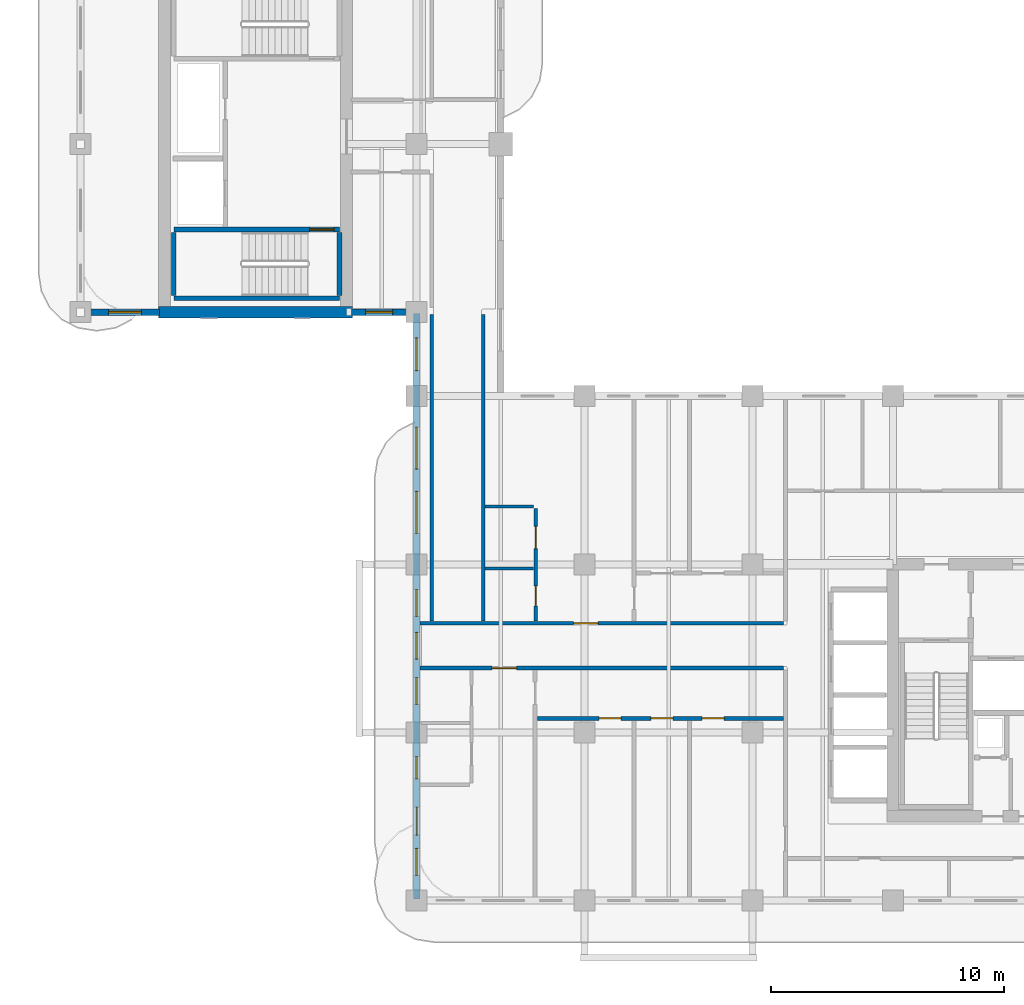
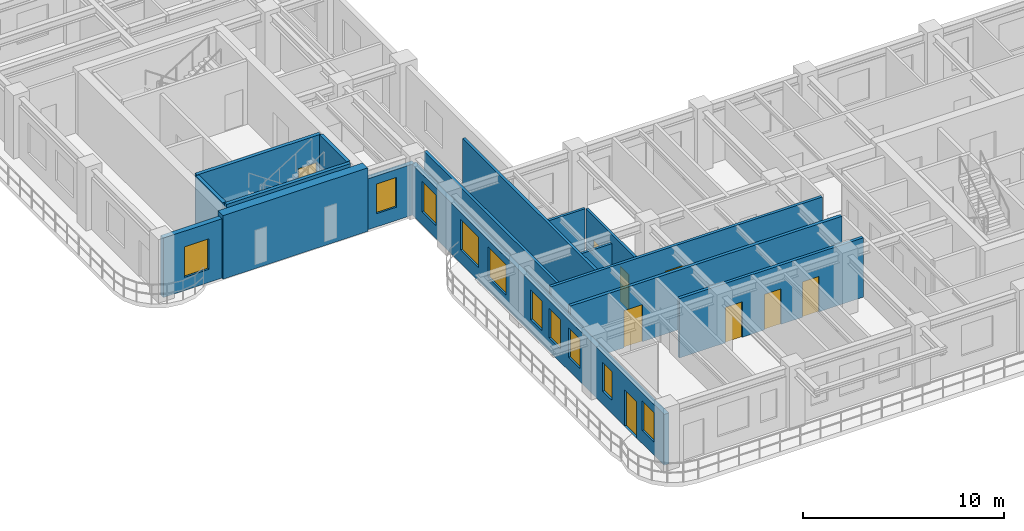
# One storey, part 4 of 14: 16 walls, 10 windows, 9 doors, 19 openings.
"""IFC4 building model written with IfcOpenShell, lengths in metres."""

import ifcopenshell
import ifcopenshell.guid

model = None  # the IFC model being written
_history = None  # IfcOwnerHistory: only IFC2X3 demands one
_inside = {}  # id of a spatial element -> (the spatial element, [elements in it])
_under = {}  # id of a project, library or spatial element -> (it, [spatial elements below it])
_declared = {}  # id of a project -> (the project, [libraries it declares])
_typed = {}  # id of a type object -> (the type object, [elements of that type])
_made_of = {}  # id of a material, layer set ... -> (it, [elements and type objects made of it])


def new_model(schema):
    """Start an empty IFC model of exactly this schema.

    Asked for "IFC4X3", IfcOpenShell would pick the latest addendum, in which some entities
    have other attributes; the version numbers below select the first issue.
    IFC2X3 requires an IfcOwnerHistory on every rooted entity: one is made here for all.
    """
    global model, _history
    if schema == "IFC4X3":
        model = ifcopenshell.file(schema_version=(4, 3, 0, 0))
    else:
        model = ifcopenshell.file(schema=schema)
    _inside.clear()
    _under.clear()
    _declared.clear()
    _typed.clear()
    _made_of.clear()
    _history = None
    if model.schema == "IFC2X3":
        org = make("IfcOrganization", Name="unknown")
        user = make(
            "IfcPersonAndOrganization",
            ThePerson=make("IfcPerson", FamilyName="unknown"),
            TheOrganization=org,
        )
        app = make(
            "IfcApplication",
            ApplicationDeveloper=org,
            Version="unknown",
            ApplicationFullName="unknown",
            ApplicationIdentifier="unknown",
        )
        _history = make(
            "IfcOwnerHistory",
            OwningUser=user,
            OwningApplication=app,
            ChangeAction="ADDED",
            CreationDate=0,
        )
    return model


def make(cls, **values):
    """One entity of the class cls with the attributes given. An attribute that is None is left unset."""
    return model.create_entity(
        cls, **{name: value for name, value in values.items() if value is not None}
    )


def rooted(cls, **values):
    """An entity with a GlobalId (a new one), such as an element, a storey or a relation."""
    return make(cls, GlobalId=ifcopenshell.guid.new(), OwnerHistory=_history, **values)


def si_unit(unit_type, name, prefix=None):
    """IfcSIUnit, for example si_unit("LENGTHUNIT", "METRE", prefix="MILLI")."""
    return make("IfcSIUnit", UnitType=unit_type, Prefix=prefix, Name=name)


def derived_unit(unit_type, elements):
    """IfcDerivedUnit: a product of units, each with its exponent."""
    return make(
        "IfcDerivedUnit",
        Elements=[
            make("IfcDerivedUnitElement", Unit=unit, Exponent=power)
            for unit, power in elements
        ],
        UnitType=unit_type,
    )


def assignment(units):
    """IfcUnitAssignment: the units of a project."""
    return None if units is None else make("IfcUnitAssignment", Units=units)


def point(xyz):
    """IfcCartesianPoint."""
    return None if xyz is None else make("IfcCartesianPoint", Coordinates=xyz)


def direction(xyz):
    """IfcDirection."""
    return None if xyz is None else make("IfcDirection", DirectionRatios=xyz)


def frame(location, z_axis=None, x_axis=None):
    """IfcAxis2Placement3D, a coordinate frame: its origin and axes. An axis left out is left unset."""
    return make(
        "IfcAxis2Placement3D",
        Location=point(location),
        Axis=direction(z_axis),
        RefDirection=direction(x_axis),
    )


def frame_2d(location, x_axis=None):
    """IfcAxis2Placement2D, a coordinate frame in the plane: its origin and x axis."""
    return make(
        "IfcAxis2Placement2D", Location=point(location), RefDirection=direction(x_axis)
    )


def origin():
    """The frame at (0, 0, 0) with its axes left unset."""
    return frame((0.0, 0.0, 0.0))


def place(relative_to, where):
    """IfcLocalPlacement: puts the frame where relative to a parent placement (None: the world)."""
    return make(
        "IfcLocalPlacement", PlacementRelTo=relative_to, RelativePlacement=where
    )


def context(
    kind, dimensions, precision=None, world=None, true_north=None, identifier=None
):
    """IfcGeometricRepresentationContext, for example the 3D "Model" context."""
    return make(
        "IfcGeometricRepresentationContext",
        ContextIdentifier=identifier,
        ContextType=kind,
        CoordinateSpaceDimension=dimensions,
        Precision=precision,
        WorldCoordinateSystem=world,
        TrueNorth=true_north,
    )


def subcontext(parent, identifier, kind, view, scale=None):
    """IfcGeometricRepresentationSubContext, for example "Body" below "Model"."""
    return make(
        "IfcGeometricRepresentationSubContext",
        ContextIdentifier=identifier,
        ContextType=kind,
        ParentContext=parent,
        TargetScale=scale,
        TargetView=view,
    )


def project(units=None, contexts=None):
    """IfcProject with its units and contexts."""
    return rooted(
        "IfcProject",
        Name="project",
        RepresentationContexts=contexts,
        UnitsInContext=assignment(units),
    )


def spatial(cls, under=None, at=None, **own):
    """A site, building, storey or space (cls), placed at a placement, below another one or the project."""
    s = rooted(cls, ObjectPlacement=at, **own)
    if under is not None:
        _under.setdefault(under.id(), (under, []))[1].append(s)
    return s


def profile(cls, at=None, kind="AREA", **sizes):
    """A parametric profile (cls). Its sizes go by their IFC names, for example OverallWidth=200.0."""
    return make(cls, ProfileType=kind, Position=at, **sizes)


def rectangle(**sizes):
    """IfcRectangleProfileDef."""
    return profile("IfcRectangleProfileDef", **sizes)


def extrude(swept, where, along, depth):
    """IfcExtrudedAreaSolid: the profile swept, set in the frame where, extruded along a direction by depth."""
    return make(
        "IfcExtrudedAreaSolid",
        SweptArea=swept,
        Position=where,
        ExtrudedDirection=direction(along),
        Depth=depth,
    )


def shape(context_of_items, identifier, shape_type, items):
    """IfcShapeRepresentation: the items that make up one representation, for example the "Body"."""
    return make(
        "IfcShapeRepresentation",
        ContextOfItems=context_of_items,
        RepresentationIdentifier=identifier,
        RepresentationType=shape_type,
        Items=items,
    )


def source(mapping_origin, context_of_items, identifier, shape_type, items):
    """IfcRepresentationMap: a shape defined once, which mapped items show again and again."""
    return make(
        "IfcRepresentationMap",
        MappingOrigin=mapping_origin,
        MappedRepresentation=shape(context_of_items, identifier, shape_type, items),
    )


def transform(
    local_origin,
    x_axis=None,
    y_axis=None,
    z_axis=None,
    scale=None,
    scale2=None,
    scale3=None,
    uniform=True,
):
    """IfcCartesianTransformationOperator3D, or its non-uniform kind. x_axis, y_axis, z_axis: its Axis1, 2, 3."""
    if uniform:
        return make(
            "IfcCartesianTransformationOperator3D",
            Axis1=direction(x_axis),
            Axis2=direction(y_axis),
            LocalOrigin=point(local_origin),
            Scale=scale,
            Axis3=direction(z_axis),
        )
    return make(
        "IfcCartesianTransformationOperator3DnonUniform",
        Axis1=direction(x_axis),
        Axis2=direction(y_axis),
        LocalOrigin=point(local_origin),
        Scale=scale,
        Axis3=direction(z_axis),
        Scale2=scale2,
        Scale3=scale3,
    )


def mapped(mapping_source, mapping_target):
    """IfcMappedItem: shows the shape of a source again, moved by a transform."""
    return make(
        "IfcMappedItem", MappingSource=mapping_source, MappingTarget=mapping_target
    )


def material(Name=None, Category=None):
    """IfcMaterial."""
    return make("IfcMaterial", Name=Name, Category=Category)


def layer(
    of_material, thickness, ventilated=None, Name=None, Category=None, Priority=None
):
    """IfcMaterialLayer: one layer of a wall or slab, of a material (None: an air gap)."""
    return make(
        "IfcMaterialLayer",
        Material=of_material,
        LayerThickness=thickness,
        IsVentilated=ventilated,
        Name=Name,
        Category=Category,
        Priority=Priority,
    )


def layer_set(layers, Name=None):
    """IfcMaterialLayerSet."""
    return make("IfcMaterialLayerSet", MaterialLayers=layers, LayerSetName=Name)


def made_of(thing, what):
    """Note that an element or type object is made of a material, layer set ...; save() writes the relation."""
    if what is not None:
        _made_of.setdefault(what.id(), (what, []))[1].append(thing)
    return thing


def type_object(cls, material=None, **own):
    """A type object (cls), such as IfcWallType, which elements share."""
    return made_of(rooted(cls, **own), material)


def type_shapes(of_type, sources):
    """Give a type object the sources (RepresentationMaps) that its elements show as mapped items."""
    of_type.RepresentationMaps = sources


def element(
    cls,
    number,
    at=None,
    inside=None,
    cuts=None,
    type_object=None,
    material=None,
    context=None,
    identifier="Body",
    shape_type=None,
    held_by="IfcProductDefinitionShape",
    body=None,
    shapes=None,
    **own,
):
    """One element of the class cls, such as IfcWall. Its Tag is "e" and its number.

    at: its placement. inside: the storey or other place that contains it. cuts: it is an
    opening in that element (IfcRelVoidsElement). A single representation is given by context,
    identifier, shape_type and body (its items); several are given by shapes. held_by: the class
    of the entity that holds the representations. save() writes the other relations.
    """
    e = rooted(cls, Tag="e%d" % number, ObjectPlacement=at, **own)
    if body is not None:
        shapes = [shape(context, identifier, shape_type, body)]
    if shapes is not None:
        e.Representation = make(held_by, Representations=shapes)
    if inside is not None:
        _inside.setdefault(inside.id(), (inside, []))[1].append(e)
    if cuts is not None:
        rooted(
            "IfcRelVoidsElement", RelatingBuildingElement=cuts, RelatedOpeningElement=e
        )
    if type_object is not None:
        _typed.setdefault(type_object.id(), (type_object, []))[1].append(e)
    return made_of(e, material)


def fill(opening, filler):
    """IfcRelFillsElement: the door or window that sits in an opening."""
    return rooted(
        "IfcRelFillsElement",
        RelatingOpeningElement=opening,
        RelatedBuildingElement=filler,
    )


def aggregate(whole, parts):
    """IfcRelAggregates: a whole, such as a stair, and the parts it consists of."""
    return rooted("IfcRelAggregates", RelatingObject=whole, RelatedObjects=parts)


def save(model, path):
    """Write the relations noted so far, then the file.

    IfcRelAggregates (storeys below a building ...), IfcRelContainedInSpatialStructure (elements
    in a storey), IfcRelDefinesByType, IfcRelAssociatesMaterial and IfcRelDeclares: one each for
    every whole, place, type object, material and project.
    """
    for whole, parts in _under.values():
        aggregate(whole, parts)
    for where, things in _inside.values():
        rooted(
            "IfcRelContainedInSpatialStructure",
            RelatedElements=things,
            RelatingStructure=where,
        )
    for kind, things in _typed.values():
        rooted("IfcRelDefinesByType", RelatedObjects=things, RelatingType=kind)
    for what, things in _made_of.values():
        rooted("IfcRelAssociatesMaterial", RelatedObjects=things, RelatingMaterial=what)
    for by, libraries in _declared.values():
        rooted("IfcRelDeclares", RelatingContext=by, RelatedDefinitions=libraries)
    model.write(path)


model = new_model("IFC4")

# Units and contexts
model_context = context("Model", 3, precision=1e-05, world=origin(), true_north=direction((0.0, 1.0)))
body_context = subcontext(model_context, "Body", "Model", "MODEL_VIEW")
ifc_project = project(units=[si_unit("LENGTHUNIT", "METRE"), si_unit("AREAUNIT", "SQUARE_METRE"), si_unit("VOLUMEUNIT", "CUBIC_METRE"), si_unit("PLANEANGLEUNIT", "RADIAN"), si_unit("MASSUNIT", "GRAM", prefix="KILO"), si_unit("THERMODYNAMICTEMPERATUREUNIT", "KELVIN"), si_unit("POWERUNIT", "WATT"), derived_unit("THERMALTRANSMITTANCEUNIT", [(si_unit("POWERUNIT", "WATT"), 1), (si_unit("AREAUNIT", "SQUARE_METRE"), -1), (si_unit("THERMODYNAMICTEMPERATUREUNIT", "KELVIN"), -1)])], contexts=[model_context])

# Site, building, storey
site_placement = place(None, origin())
site = spatial("IfcSite", under=ifc_project, at=site_placement, CompositionType="ELEMENT")
building_placement = place(site_placement, origin())
building = spatial("IfcBuilding", under=site, at=building_placement, Name="Zahravan Archway Hotel and Residences", CompositionType="ELEMENT")
storey_placement = place(building_placement, frame((0.0, 0.0, 205.75)))
storey = spatial("IfcBuildingStorey", under=building, at=storey_placement, Name="L51", CompositionType="ELEMENT", Elevation=205.75)

# Wall
ifc_material_1 = material(Name="Concrete C60/75", Category="concrete")
ifc_layer_1 = layer(ifc_material_1, 0.5, Name="Concrete C60/75", Category="concrete")
ifc_layer_set_1 = layer_set([ifc_layer_1], Name="Concrete C60/75")
wall_type_1 = type_object("IfcWallType", Name="CW-CORE-500", PredefinedType="SHEAR", material=ifc_layer_set_1)
wall_1_placement = place(storey_placement, frame((3.35009765625, 25.199951171875, 0.0), z_axis=(0.0, 0.0, 1.0), x_axis=(1.0, 0.0, 0.0)))
element("IfcWall", 1, at=wall_1_placement, inside=storey, type_object=wall_type_1, Name="L51 Core B Shear S Wall 500 mm", PredefinedType="SHEAR", context=body_context, shape_type="SweptSolid", body=[
    extrude(rectangle(XDim=8.2998046875, YDim=0.5, at=frame_2d((4.14990234375, 0.0))), origin(), (0.0, 0.0, 1.0), 3.85009765625),
])

# Wall, openings, door, windows
ifc_material_2 = material(Name="Honed Red-Ochre Sandstone & Insulated Block", Category="masonry")
ifc_layer_2 = layer(ifc_material_2, 0.280029296875, Name="Honed Red-Ochre Sandstone & Insulated Block", Category="masonry")
ifc_layer_set_2 = layer_set([ifc_layer_2], Name="Honed Red-Ochre Sandstone & Insulated Block")
wall_type_2 = type_object("IfcWallType", Name="EW-LOG-280", PredefinedType="SOLIDWALL", material=ifc_layer_set_2)
wall_2_placement = place(storey_placement, frame((14.39990234375, 0.050048828125, 0.0), z_axis=(0.0, 0.0, 1.0), x_axis=(0.0, 1.0, 0.0)))
wall_2 = element("IfcWall", 2, at=wall_2_placement, inside=storey, type_object=wall_type_2, Name="L51 Exterior Sandstone Wall WA-WL", PredefinedType="SOLIDWALL", context=body_context, shape_type="SweptSolid", body=[
    extrude(rectangle(XDim=25.099853515625, YDim=0.280029296875, at=frame_2d((12.5498046875, 0.0))), origin(), (0.0, 0.0, 1.0), 3.0849609375),
])
opening_1_placement = place(wall_2_placement, frame((2.75, 0.0, 0.0)))
opening_1 = element("IfcOpeningElement", 3, at=opening_1_placement, cuts=wall_2, Name="Opening ED-BL1", PredefinedType="OPENING", context=body_context, shape_type="SweptSolid", body=[
    extrude(rectangle(XDim=1.199951171875, YDim=2.199951171875, at=frame_2d((0.60009765625, 1.10009765625))), frame((0.0, 0.14990234375, 0.0), z_axis=(0.0, -1.0, 0.0), x_axis=(1.0, 0.0, 0.0)), (0.0, 0.0, 1.0), 0.300048828125),
])
opening_2_placement = place(wall_2_placement, frame((1.02490234375, 0.0, 0.800048828125)))
opening_2 = element("IfcOpeningElement", 4, at=opening_2_placement, cuts=wall_2, Name="Opening W-05", PredefinedType="OPENING", context=body_context, shape_type="SweptSolid", body=[
    extrude(rectangle(XDim=1.14990234375, YDim=1.800048828125, at=frame_2d((0.574951171875, 0.89990234375))), frame((0.0, 0.14990234375, 0.0), z_axis=(0.0, -1.0, 0.0), x_axis=(1.0, 0.0, 0.0)), (0.0, 0.0, 1.0), 0.300048828125),
])
opening_3_placement = place(wall_2_placement, frame((5.154052734375, 0.0, 0.800048828125)))
opening_3 = element("IfcOpeningElement", 5, at=opening_3_placement, cuts=wall_2, Name="Opening W-04", PredefinedType="OPENING", context=body_context, shape_type="SweptSolid", body=[
    extrude(rectangle(XDim=0.949951171875, YDim=1.75, at=frame_2d((0.47509765625, 0.875))), frame((0.0, 0.14990234375, 0.0), z_axis=(0.0, -1.0, 0.0), x_axis=(1.0, 0.0, 0.0)), (0.0, 0.0, 1.0), 0.300048828125),
])
opening_4_placement = place(wall_2_placement, frame((8.345947265625, 0.0, 0.800048828125)))
opening_4 = element("IfcOpeningElement", 6, at=opening_4_placement, cuts=wall_2, Name="Opening W-05", PredefinedType="OPENING", context=body_context, shape_type="SweptSolid", body=[
    extrude(rectangle(XDim=1.14990234375, YDim=1.800048828125, at=frame_2d((0.574951171875, 0.89990234375))), frame((0.0, 0.14990234375, 0.0), z_axis=(0.0, -1.0, 0.0), x_axis=(1.0, 0.0, 0.0)), (0.0, 0.0, 1.0), 0.300048828125),
])
opening_5_placement = place(wall_2_placement, frame((10.284912109375, 0.0, 0.800048828125)))
opening_5 = element("IfcOpeningElement", 7, at=opening_5_placement, cuts=wall_2, Name="Opening W-05", PredefinedType="OPENING", context=body_context, shape_type="SweptSolid", body=[
    extrude(rectangle(XDim=1.14990234375, YDim=1.800048828125, at=frame_2d((0.574951171875, 0.89990234375))), frame((0.0, 0.14990234375, 0.0), z_axis=(0.0, -1.0, 0.0), x_axis=(1.0, 0.0, 0.0)), (0.0, 0.0, 1.0), 0.300048828125),
])
opening_6_placement = place(wall_2_placement, frame((12.114013671875, 0.0, 0.800048828125)))
opening_6 = element("IfcOpeningElement", 8, at=opening_6_placement, cuts=wall_2, Name="Opening W-05", PredefinedType="OPENING", context=body_context, shape_type="SweptSolid", body=[
    extrude(rectangle(XDim=1.14990234375, YDim=1.800048828125, at=frame_2d((0.574951171875, 0.89990234375))), frame((0.0, 0.14990234375, 0.0), z_axis=(0.0, -1.0, 0.0), x_axis=(1.0, 0.0, 0.0)), (0.0, 0.0, 1.0), 0.300048828125),
])
opening_7_placement = place(wall_2_placement, frame((15.675048828125, 0.0, 0.800048828125)))
opening_7 = element("IfcOpeningElement", 9, at=opening_7_placement, cuts=wall_2, Name="Opening W-02", PredefinedType="OPENING", context=body_context, shape_type="SweptSolid", body=[
    extrude(rectangle(XDim=1.800048828125, YDim=1.85009765625, at=frame_2d((0.89990234375, 0.925048828125))), frame((0.0, 0.14990234375, 0.0), z_axis=(0.0, -1.0, 0.0), x_axis=(1.0, 0.0, 0.0)), (0.0, 0.0, 1.0), 0.300048828125),
])
opening_8_placement = place(wall_2_placement, frame((18.425048828125, 0.0, 0.800048828125)))
opening_8 = element("IfcOpeningElement", 10, at=opening_8_placement, cuts=wall_2, Name="Opening W-02", PredefinedType="OPENING", context=body_context, shape_type="SweptSolid", body=[
    extrude(rectangle(XDim=1.800048828125, YDim=1.85009765625, at=frame_2d((0.89990234375, 0.925048828125))), frame((0.0, 0.14990234375, 0.0), z_axis=(0.0, -1.0, 0.0), x_axis=(1.0, 0.0, 0.0)), (0.0, 0.0, 1.0), 0.300048828125),
])
opening_9_placement = place(wall_2_placement, frame((22.64990234375, 0.0, 0.800048828125)))
opening_9 = element("IfcOpeningElement", 11, at=opening_9_placement, cuts=wall_2, Name="Opening W-03", PredefinedType="OPENING", context=body_context, shape_type="SweptSolid", body=[
    extrude(rectangle(XDim=1.39990234375, YDim=1.85009765625, at=frame_2d((0.699951171875, 0.925048828125))), frame((0.0, 0.14990234375, 0.0), z_axis=(0.0, -1.0, 0.0), x_axis=(1.0, 0.0, 0.0)), (0.0, 0.0, 1.0), 0.300048828125),
])
ifc_material_3 = material(Name="Bronze-Anodized Glazed Aluminium", Category="aluminium")
door_type_1 = type_object("IfcDoorType", Name="ED-BALC-1200", OperationType="SLIDING_TO_LEFT", PredefinedType="DOOR", material=ifc_material_3)
shared_shape_1 = source(origin(), body_context, "Body", "SweptSolid", [
    extrude(rectangle(XDim=1.199951171875, YDim=2.199951171875, at=frame_2d((0.60009765625, 1.10009765625))), frame((0.0, 0.02490234375, 0.0), z_axis=(0.0, -1.0, 0.0), x_axis=(1.0, 0.0, 0.0)), (0.0, 0.0, 1.0), 0.050048828125),
])
type_shapes(door_type_1, [shared_shape_1])
door_1_placement = place(opening_1_placement, origin())
door_1 = element("IfcDoor", 12, at=door_1_placement, inside=storey, type_object=door_type_1, Name="L51 Outdoor Access Sliding Door (SLB-BAL-L51-WA)", OperationType="SLIDING_TO_LEFT", OverallHeight=2.199951171875, OverallWidth=1.199951171875, PredefinedType="DOOR", context=body_context, shape_type="MappedRepresentation", body=[
    mapped(shared_shape_1, transform((0.0, 0.0, 0.0), scale=1.0)),
])
fill(opening_1, door_1)
ifc_material_4 = material(Name="Bronze-Anodized Thermal-Break Aluminium & Low-E Glass", Category="aluminium")
window_type_1 = type_object("IfcWindowType", Name="WIN-TWR-1400", PartitioningType="SINGLE_PANEL", PredefinedType="WINDOW", material=ifc_material_4)
shared_shape_2 = source(origin(), body_context, "Body", "SweptSolid", [
    extrude(rectangle(XDim=1.39990234375, YDim=1.85009765625, at=frame_2d((0.699951171875, 0.925048828125))), frame((0.0, 0.030029296875, 0.0), z_axis=(0.0, -1.0, 0.0), x_axis=(1.0, 0.0, 0.0)), (0.0, 0.0, 1.0), 0.06005859375),
])
type_shapes(window_type_1, [shared_shape_2])
window_1_placement = place(opening_9_placement, origin())
window_1 = element("IfcWindow", 13, at=window_1_placement, inside=storey, type_object=window_type_1, Name="L51 Loggia Window 28", OverallHeight=1.85009765625, OverallWidth=1.39990234375, PartitioningType="SINGLE_PANEL", PredefinedType="WINDOW", context=body_context, shape_type="MappedRepresentation", body=[
    mapped(shared_shape_2, transform((0.0, 0.0, 0.0), scale=1.0)),
])
fill(opening_9, window_1)
window_type_2 = type_object("IfcWindowType", Name="WIN-NAR-950", PartitioningType="SINGLE_PANEL", PredefinedType="WINDOW", material=ifc_material_4)
shared_shape_3 = source(origin(), body_context, "Body", "SweptSolid", [
    extrude(rectangle(XDim=0.949951171875, YDim=1.75, at=frame_2d((0.47509765625, 0.875))), frame((0.0, 0.030029296875, 0.0), z_axis=(0.0, -1.0, 0.0), x_axis=(1.0, 0.0, 0.0)), (0.0, 0.0, 1.0), 0.06005859375),
])
type_shapes(window_type_2, [shared_shape_3])
window_2_placement = place(opening_3_placement, origin())
window_2 = element("IfcWindow", 14, at=window_2_placement, inside=storey, type_object=window_type_2, Name="L51 Loggia Window 22", OverallHeight=1.75, OverallWidth=0.949951171875, PartitioningType="SINGLE_PANEL", PredefinedType="WINDOW", context=body_context, shape_type="MappedRepresentation", body=[
    mapped(shared_shape_3, transform((0.0, 0.0, 0.0), scale=1.0)),
])
fill(opening_3, window_2)
window_type_3 = type_object("IfcWindowType", Name="WIN-TWR-1800", PartitioningType="DOUBLE_PANEL_VERTICAL", PredefinedType="WINDOW", material=ifc_material_4)
shared_shape_4 = source(origin(), body_context, "Body", "SweptSolid", [
    extrude(rectangle(XDim=1.800048828125, YDim=1.85009765625, at=frame_2d((0.89990234375, 0.925048828125))), frame((0.0, 0.030029296875, 0.0), z_axis=(0.0, -1.0, 0.0), x_axis=(1.0, 0.0, 0.0)), (0.0, 0.0, 1.0), 0.06005859375),
])
type_shapes(window_type_3, [shared_shape_4])
window_3_placement = place(opening_7_placement, origin())
window_3 = element("IfcWindow", 15, at=window_3_placement, inside=storey, type_object=window_type_3, Name="L51 Loggia Window 26", OverallHeight=1.85009765625, OverallWidth=1.800048828125, PartitioningType="DOUBLE_PANEL_VERTICAL", PredefinedType="WINDOW", context=body_context, shape_type="MappedRepresentation", body=[
    mapped(shared_shape_4, transform((0.0, 0.0, 0.0), scale=1.0)),
])
fill(opening_7, window_3)
window_4_placement = place(opening_8_placement, origin())
window_4 = element("IfcWindow", 16, at=window_4_placement, inside=storey, type_object=window_type_3, Name="L51 Loggia Window 27", OverallHeight=1.85009765625, OverallWidth=1.800048828125, PartitioningType="DOUBLE_PANEL_VERTICAL", PredefinedType="WINDOW", context=body_context, shape_type="MappedRepresentation", body=[
    mapped(shared_shape_4, transform((0.0, 0.0, 0.0), scale=1.0)),
])
fill(opening_8, window_4)
window_type_4 = type_object("IfcWindowType", Name="WIN-TWR-1150", PartitioningType="SINGLE_PANEL", PredefinedType="WINDOW", material=ifc_material_4)
shared_shape_5 = source(origin(), body_context, "Body", "SweptSolid", [
    extrude(rectangle(XDim=1.14990234375, YDim=1.800048828125, at=frame_2d((0.574951171875, 0.89990234375))), frame((0.0, 0.030029296875, 0.0), z_axis=(0.0, -1.0, 0.0), x_axis=(1.0, 0.0, 0.0)), (0.0, 0.0, 1.0), 0.06005859375),
])
type_shapes(window_type_4, [shared_shape_5])
window_5_placement = place(opening_2_placement, origin())
window_5 = element("IfcWindow", 17, at=window_5_placement, inside=storey, type_object=window_type_4, Name="L51 Loggia Window 21", OverallHeight=1.800048828125, OverallWidth=1.14990234375, PartitioningType="SINGLE_PANEL", PredefinedType="WINDOW", context=body_context, shape_type="MappedRepresentation", body=[
    mapped(shared_shape_5, transform((0.0, 0.0, 0.0), scale=1.0)),
])
fill(opening_2, window_5)
window_6_placement = place(opening_4_placement, origin())
window_6 = element("IfcWindow", 18, at=window_6_placement, inside=storey, type_object=window_type_4, Name="L51 Loggia Window 23", OverallHeight=1.800048828125, OverallWidth=1.14990234375, PartitioningType="SINGLE_PANEL", PredefinedType="WINDOW", context=body_context, shape_type="MappedRepresentation", body=[
    mapped(shared_shape_5, transform((0.0, 0.0, 0.0), scale=1.0)),
])
fill(opening_4, window_6)
window_7_placement = place(opening_5_placement, origin())
window_7 = element("IfcWindow", 19, at=window_7_placement, inside=storey, type_object=window_type_4, Name="L51 Loggia Window 24", OverallHeight=1.800048828125, OverallWidth=1.14990234375, PartitioningType="SINGLE_PANEL", PredefinedType="WINDOW", context=body_context, shape_type="MappedRepresentation", body=[
    mapped(shared_shape_5, transform((0.0, 0.0, 0.0), scale=1.0)),
])
fill(opening_5, window_7)
window_8_placement = place(opening_6_placement, origin())
window_8 = element("IfcWindow", 20, at=window_8_placement, inside=storey, type_object=window_type_4, Name="L51 Loggia Window 25", OverallHeight=1.800048828125, OverallWidth=1.14990234375, PartitioningType="SINGLE_PANEL", PredefinedType="WINDOW", context=body_context, shape_type="MappedRepresentation", body=[
    mapped(shared_shape_5, transform((0.0, 0.0, 0.0), scale=1.0)),
])
fill(opening_6, window_8)

# Wall, opening, window
wall_3_placement = place(storey_placement, frame((11.6201171875, 25.199951171875, 0.0), z_axis=(0.0, 0.0, 1.0), x_axis=(1.0, 0.0, 0.0)))
wall_3 = element("IfcWall", 21, at=wall_3_placement, inside=storey, type_object=wall_type_2, Name="L51 Exterior Sandstone Wall WB-SE", PredefinedType="SOLIDWALL", context=body_context, shape_type="SweptSolid", body=[
    extrude(rectangle(XDim=2.77978515625, YDim=0.280029296875, at=frame_2d((1.389892578125, 0.0))), origin(), (0.0, 0.0, 1.0), 3.0849609375),
])
opening_10_placement = place(wall_3_placement, frame((0.60009765625, 0.0, 0.800048828125)))
opening_10 = element("IfcOpeningElement", 22, at=opening_10_placement, cuts=wall_3, Name="Opening W-05", PredefinedType="OPENING", context=body_context, shape_type="SweptSolid", body=[
    extrude(rectangle(XDim=1.14990234375, YDim=1.800048828125, at=frame_2d((0.574951171875, 0.89990234375))), frame((0.0, 0.14990234375, 0.0), z_axis=(0.0, -1.0, 0.0), x_axis=(1.0, 0.0, 0.0)), (0.0, 0.0, 1.0), 0.300048828125),
])
window_9_placement = place(opening_10_placement, origin())
window_9 = element("IfcWindow", 23, at=window_9_placement, inside=storey, type_object=window_type_4, Name="L51 Loggia Window 29", OverallHeight=1.800048828125, OverallWidth=1.14990234375, PartitioningType="SINGLE_PANEL", PredefinedType="WINDOW", context=body_context, shape_type="MappedRepresentation", body=[
    mapped(shared_shape_5, transform((0.0, 0.0, 0.0), scale=1.0)),
])
fill(opening_10, window_9)

wall_4_placement = place(storey_placement, frame((0.0, 25.199951171875, 0.0), z_axis=(0.0, 0.0, 1.0), x_axis=(1.0, 0.0, 0.0)))
wall_4 = element("IfcWall", 24, at=wall_4_placement, inside=storey, type_object=wall_type_2, Name="L51 Exterior Sandstone Wall WB-SW", PredefinedType="SOLIDWALL", context=body_context, shape_type="SweptSolid", body=[
    extrude(rectangle(XDim=3.3798828125, YDim=0.280029296875, at=frame_2d((1.68994140625, 0.0))), origin(), (0.0, 0.0, 1.0), 3.60009765625),
])
opening_11_placement = place(wall_4_placement, frame((1.205078125, 0.0, 0.800048828125)))
opening_11 = element("IfcOpeningElement", 25, at=opening_11_placement, cuts=wall_4, Name="Opening W-03", PredefinedType="OPENING", context=body_context, shape_type="SweptSolid", body=[
    extrude(rectangle(XDim=1.39990234375, YDim=1.85009765625, at=frame_2d((0.699951171875, 0.925048828125))), frame((0.0, 0.14990234375, 0.0), z_axis=(0.0, -1.0, 0.0), x_axis=(1.0, 0.0, 0.0)), (0.0, 0.0, 1.0), 0.300048828125),
])
window_10_placement = place(opening_11_placement, origin())
window_10 = element("IfcWindow", 26, at=window_10_placement, inside=storey, type_object=window_type_1, Name="L51 Loggia Window 30", OverallHeight=1.85009765625, OverallWidth=1.39990234375, PartitioningType="SINGLE_PANEL", PredefinedType="WINDOW", context=body_context, shape_type="MappedRepresentation", body=[
    mapped(shared_shape_2, transform((0.0, 0.0, 0.0), scale=1.0)),
])
fill(opening_11, window_10)

# Wall, opening, door
ifc_material_5 = material(Name="Fire-Rated Gypsum & Concrete Block", Category="concrete")
ifc_layer_3 = layer(ifc_material_5, 0.159912109375, Name="Fire-Rated Gypsum & Concrete Block", Category="concrete")
ifc_layer_set_3 = layer_set([ifc_layer_3], Name="Fire-Rated Gypsum & Concrete Block")
wall_type_3 = type_object("IfcWallType", Name="PW-CORR-160", PredefinedType="PARTITIONING", material=ifc_layer_set_3)
wall_5_placement = place(storey_placement, frame((14.548095703125, 11.8701171875, 0.0), z_axis=(0.0, 0.0, 1.0), x_axis=(1.0, 0.0, 0.0)))
wall_5 = element("IfcWall", 27, at=wall_5_placement, inside=storey, type_object=wall_type_3, Name="L51 Partition WA-CN", PredefinedType="PARTITIONING", context=body_context, shape_type="SweptSolid", body=[
    extrude(rectangle(XDim=15.56201171875, YDim=0.159912109375, at=frame_2d((7.781005859375, 0.0))), origin(), (0.0, 0.0, 1.0), 3.60009765625),
])
opening_12_placement = place(wall_5_placement, frame((6.576904296875, 0.0, 0.0)))
opening_12 = element("IfcOpeningElement", 28, at=opening_12_placement, cuts=wall_5, Name="Opening D-U1", PredefinedType="OPENING", context=body_context, shape_type="SweptSolid", body=[
    extrude(rectangle(XDim=1.050048828125, YDim=2.25, at=frame_2d((0.52490234375, 1.125))), frame((0.0, 0.08984375, 0.0), z_axis=(0.0, -1.0, 0.0), x_axis=(1.0, 0.0, 0.0)), (0.0, 0.0, 1.0), 0.179931640625),
])
ifc_material_6 = material(Name="Hardwood Veneer Timber", Category="wood")
door_type_2 = type_object("IfcDoorType", Name="ID-UNIT-1050", OperationType="NOTDEFINED", PredefinedType="DOOR", material=ifc_material_6)
shared_shape_6 = source(origin(), body_context, "Body", "SweptSolid", [
    extrude(rectangle(XDim=1.050048828125, YDim=2.25, at=frame_2d((0.52490234375, 1.125))), frame((0.0, 0.02490234375, 0.0), z_axis=(0.0, -1.0, 0.0), x_axis=(1.0, 0.0, 0.0)), (0.0, 0.0, 1.0), 0.050048828125),
])
type_shapes(door_type_2, [shared_shape_6])
door_2_placement = place(opening_12_placement, origin())
door_2 = element("IfcDoor", 29, at=door_2_placement, inside=storey, type_object=door_type_2, Name="L51 Flat HN1 Entrance Door", OperationType="SINGLE_SWING_LEFT", OverallHeight=2.25, OverallWidth=1.050048828125, PredefinedType="DOOR", context=body_context, shape_type="MappedRepresentation", body=[
    mapped(shared_shape_6, transform((0.0, 0.0, 0.0), scale=1.0)),
])
fill(opening_12, door_2)

# Walls
for number, where, z_axis, x_axis, name in (
    (30, (15.050048828125, 11.9599609375, 0.0), (0.0, 0.0, 1.0), (0.0, 1.0, 0.0), "L51 Partition LNK-W"),
    (31, (17.25, 11.9599609375, 0.0), (0.0, 0.0, 1.0), (0.0, 1.0, 0.0), "L51 Partition LNK-E"),
):
    element("IfcWall", number, at=place(storey_placement, frame(where, z_axis=z_axis, x_axis=x_axis)), inside=storey, type_object=wall_type_3, Name=name, PredefinedType="PARTITIONING", context=body_context, shape_type="SweptSolid", body=[
        extrude(rectangle(XDim=13.150146484375, YDim=0.159912109375, at=frame_2d((6.5751953125, 0.0))), origin(), (0.0, 0.0, 1.0), 3.60009765625),
    ])

# Wall, opening, door
ifc_layer_4 = layer(ifc_material_5, 0.179931640625, Name="Fire-Rated Gypsum & Concrete Block", Category="concrete")
ifc_layer_set_4 = layer_set([ifc_layer_4], Name="Fire-Rated Gypsum & Concrete Block")
wall_type_4 = type_object("IfcWallType", Name="PW-CORR-180", PredefinedType="PARTITIONING", material=ifc_layer_set_4)
wall_6_placement = place(storey_placement, frame((14.548095703125, 9.949951171875, 0.0), z_axis=(0.0, 0.0, 1.0), x_axis=(1.0, 0.0, 0.0)))
wall_6 = element("IfcWall", 32, at=wall_6_placement, inside=storey, type_object=wall_type_4, Name="L51 Partition WA-CS", PredefinedType="PARTITIONING", context=body_context, shape_type="SweptSolid", body=[
    extrude(rectangle(XDim=15.56201171875, YDim=0.179931640625, at=frame_2d((7.781005859375, 0.0))), origin(), (0.0, 0.0, 1.0), 3.60009765625),
])
opening_13_placement = place(wall_6_placement, frame((3.08203125, 0.0, 0.0)))
opening_13 = element("IfcOpeningElement", 33, at=opening_13_placement, cuts=wall_6, Name="Opening D-U1", PredefinedType="OPENING", context=body_context, shape_type="SweptSolid", body=[
    extrude(rectangle(XDim=1.050048828125, YDim=2.25, at=frame_2d((0.52490234375, 1.125))), frame((0.0, 0.10009765625, 0.0), z_axis=(0.0, -1.0, 0.0), x_axis=(1.0, 0.0, 0.0)), (0.0, 0.0, 1.0), 0.199951171875),
])
door_3_placement = place(opening_13_placement, origin())
door_3 = element("IfcDoor", 34, at=door_3_placement, inside=storey, type_object=door_type_2, Name="L51 Flat S1 Entrance Door", OperationType="SINGLE_SWING_RIGHT", OverallHeight=2.25, OverallWidth=1.050048828125, PredefinedType="DOOR", context=body_context, shape_type="MappedRepresentation", body=[
    mapped(shared_shape_6, transform((0.0, 0.0, 0.0), scale=1.0)),
])
fill(opening_13, door_3)

# Wall, openings, doors
ifc_material_7 = material(Name="Acoustic Stud Partition")
ifc_layer_5 = layer(ifc_material_7, 0.169921875, Name="Acoustic Stud Partition")
ifc_layer_set_5 = layer_set([ifc_layer_5], Name="Acoustic Stud Partition")
wall_type_5 = type_object("IfcWallType", Name="PW-UNIT-170", PredefinedType="PARTITIONING", material=ifc_layer_set_5)
wall_7_placement = place(storey_placement, frame((19.570068359375, 7.800048828125, 0.0), z_axis=(0.0, 0.0, 1.0), x_axis=(1.0, 0.0, 0.0)))
wall_7 = element("IfcWall", 35, at=wall_7_placement, inside=storey, type_object=wall_type_5, Name="L51 Partition FL-S1-GH", PredefinedType="PARTITIONING", context=body_context, shape_type="SweptSolid", body=[
    extrude(rectangle(XDim=10.5400390625, YDim=0.169921875, at=frame_2d((5.27001953125, 0.0))), origin(), (0.0, 0.0, 1.0), 3.60009765625),
])
opening_14_placement = place(wall_7_placement, frame((2.645751953125, 0.0, 0.0)))
opening_14 = element("IfcOpeningElement", 36, at=opening_14_placement, cuts=wall_7, Name="Opening D-I1", PredefinedType="OPENING", context=body_context, shape_type="SweptSolid", body=[
    extrude(rectangle(XDim=0.949951171875, YDim=2.14990234375, at=frame_2d((0.47509765625, 1.074951171875))), frame((0.0, 0.094970703125, 0.0), z_axis=(0.0, -1.0, 0.0), x_axis=(1.0, 0.0, 0.0)), (0.0, 0.0, 1.0), 0.18994140625),
])
opening_15_placement = place(wall_7_placement, frame((4.864990234375, 0.0, 0.0)))
opening_15 = element("IfcOpeningElement", 37, at=opening_15_placement, cuts=wall_7, Name="Opening D-I1", PredefinedType="OPENING", context=body_context, shape_type="SweptSolid", body=[
    extrude(rectangle(XDim=0.949951171875, YDim=2.14990234375, at=frame_2d((0.47509765625, 1.074951171875))), frame((0.0, 0.094970703125, 0.0), z_axis=(0.0, -1.0, 0.0), x_axis=(1.0, 0.0, 0.0)), (0.0, 0.0, 1.0), 0.18994140625),
])
opening_16_placement = place(wall_7_placement, frame((7.054931640625, 0.0, 0.0)))
opening_16 = element("IfcOpeningElement", 38, at=opening_16_placement, cuts=wall_7, Name="Opening D-I1", PredefinedType="OPENING", context=body_context, shape_type="SweptSolid", body=[
    extrude(rectangle(XDim=0.949951171875, YDim=2.14990234375, at=frame_2d((0.47509765625, 1.074951171875))), frame((0.0, 0.094970703125, 0.0), z_axis=(0.0, -1.0, 0.0), x_axis=(1.0, 0.0, 0.0)), (0.0, 0.0, 1.0), 0.18994140625),
])
door_type_3 = type_object("IfcDoorType", Name="ID-INT-950", OperationType="NOTDEFINED", PredefinedType="DOOR", material=ifc_material_6)
shared_shape_7 = source(origin(), body_context, "Body", "SweptSolid", [
    extrude(rectangle(XDim=0.949951171875, YDim=2.14990234375, at=frame_2d((0.47509765625, 1.074951171875))), frame((0.0, 0.02490234375, 0.0), z_axis=(0.0, -1.0, 0.0), x_axis=(1.0, 0.0, 0.0)), (0.0, 0.0, 1.0), 0.050048828125),
])
type_shapes(door_type_3, [shared_shape_7])
door_4_placement = place(opening_14_placement, origin())
door_4 = element("IfcDoor", 39, at=door_4_placement, inside=storey, type_object=door_type_3, Name="L51 Flat S1 Bedroom 1 Door", OperationType="SINGLE_SWING_RIGHT", OverallHeight=2.14990234375, OverallWidth=0.949951171875, PredefinedType="DOOR", context=body_context, shape_type="MappedRepresentation", body=[
    mapped(shared_shape_7, transform((0.0, 0.0, 0.0), scale=1.0)),
])
fill(opening_14, door_4)
door_5_placement = place(opening_15_placement, origin())
door_5 = element("IfcDoor", 40, at=door_5_placement, inside=storey, type_object=door_type_3, Name="L51 Flat S1 Bedroom 2 Door", OperationType="SINGLE_SWING_LEFT", OverallHeight=2.14990234375, OverallWidth=0.949951171875, PredefinedType="DOOR", context=body_context, shape_type="MappedRepresentation", body=[
    mapped(shared_shape_7, transform((0.0, 0.0, 0.0), scale=1.0)),
])
fill(opening_15, door_5)
door_6_placement = place(opening_16_placement, origin())
door_6 = element("IfcDoor", 41, at=door_6_placement, inside=storey, type_object=door_type_3, Name="L51 Flat S1 Bedroom 3 Door", OperationType="SINGLE_SWING_LEFT", OverallHeight=2.14990234375, OverallWidth=0.949951171875, PredefinedType="DOOR", context=body_context, shape_type="MappedRepresentation", body=[
    mapped(shared_shape_7, transform((0.0, 0.0, 0.0), scale=1.0)),
])
fill(opening_16, door_6)

ifc_material_8 = material(Name="Moisture-Resistant Blockwork", Category="masonry")
ifc_layer_6 = layer(ifc_material_8, 0.139892578125, Name="Moisture-Resistant Blockwork", Category="masonry")
ifc_layer_set_6 = layer_set([ifc_layer_6], Name="Moisture-Resistant Blockwork")
wall_type_6 = type_object("IfcWallType", Name="PW-WET-140", PredefinedType="PARTITIONING", material=ifc_layer_set_6)
wall_8_placement = place(storey_placement, frame((19.5, 11.9599609375, 0.0), z_axis=(0.0, 0.0, 1.0), x_axis=(0.0, 1.0, 0.0)))
wall_8 = element("IfcWall", 42, at=wall_8_placement, inside=storey, type_object=wall_type_6, Name="L51 Partition FL-HN1-BV", PredefinedType="PARTITIONING", context=body_context, shape_type="SweptSolid", body=[
    extrude(rectangle(XDim=4.820068359375, YDim=0.139892578125, at=frame_2d((2.41015625, 0.0))), origin(), (0.0, 0.0, 1.0), 3.60009765625),
])
opening_17_placement = place(wall_8_placement, frame((0.659912109375, 0.0, 0.0)))
opening_17 = element("IfcOpeningElement", 43, at=opening_17_placement, cuts=wall_8, Name="Opening D-B1", PredefinedType="OPENING", context=body_context, shape_type="SweptSolid", body=[
    extrude(rectangle(XDim=0.85009765625, YDim=2.10009765625, at=frame_2d((0.425048828125, 1.050048828125))), frame((0.0, 0.080078125, 0.0), z_axis=(0.0, -1.0, 0.0), x_axis=(1.0, 0.0, 0.0)), (0.0, 0.0, 1.0), 0.159912109375),
])
opening_18_placement = place(wall_8_placement, frame((3.110107421875, 0.0, 0.0)))
opening_18 = element("IfcOpeningElement", 44, at=opening_18_placement, cuts=wall_8, Name="Opening D-I1", PredefinedType="OPENING", context=body_context, shape_type="SweptSolid", body=[
    extrude(rectangle(XDim=0.949951171875, YDim=2.14990234375, at=frame_2d((0.47509765625, 1.074951171875))), frame((0.0, 0.080078125, 0.0), z_axis=(0.0, -1.0, 0.0), x_axis=(1.0, 0.0, 0.0)), (0.0, 0.0, 1.0), 0.159912109375),
])
door_type_4 = type_object("IfcDoorType", Name="ID-BATH-850", OperationType="NOTDEFINED", PredefinedType="DOOR", material=ifc_material_6)
shared_shape_8 = source(origin(), body_context, "Body", "SweptSolid", [
    extrude(rectangle(XDim=0.85009765625, YDim=2.10009765625, at=frame_2d((0.425048828125, 1.050048828125))), frame((0.0, 0.02490234375, 0.0), z_axis=(0.0, -1.0, 0.0), x_axis=(1.0, 0.0, 0.0)), (0.0, 0.0, 1.0), 0.050048828125),
])
type_shapes(door_type_4, [shared_shape_8])
door_7_placement = place(opening_17_placement, origin())
door_7 = element("IfcDoor", 45, at=door_7_placement, inside=storey, type_object=door_type_4, Name="L51 Flat HN1 Bathroom Door", OperationType="SINGLE_SWING_LEFT", OverallHeight=2.10009765625, OverallWidth=0.85009765625, PredefinedType="DOOR", context=body_context, shape_type="MappedRepresentation", body=[
    mapped(shared_shape_8, transform((0.0, 0.0, 0.0), scale=1.0)),
])
fill(opening_17, door_7)
door_8_placement = place(opening_18_placement, origin())
door_8 = element("IfcDoor", 46, at=door_8_placement, inside=storey, type_object=door_type_3, Name="L51 Flat HN1 Kitchen Door", OperationType="SINGLE_SWING_RIGHT", OverallHeight=2.14990234375, OverallWidth=0.949951171875, PredefinedType="DOOR", context=body_context, shape_type="MappedRepresentation", body=[
    mapped(shared_shape_7, transform((0.0, 0.0, 0.0), scale=1.0)),
])
fill(opening_18, door_8)

# Walls
wall_9_placement = place(storey_placement, frame((17.340087890625, 14.219970703125, 0.0), z_axis=(0.0, 0.0, 1.0), x_axis=(1.0, 0.0, 0.0)))
element("IfcWall", 47, at=wall_9_placement, inside=storey, type_object=wall_type_6, Name="L51 Partition FL-HN1-BM", PredefinedType="PARTITIONING", context=body_context, shape_type="SweptSolid", body=[
    extrude(rectangle(XDim=2.06982421875, YDim=0.139892578125, at=frame_2d((1.034912109375, 0.0))), origin(), (0.0, 0.0, 1.0), 3.0849609375),
])
wall_10_placement = place(storey_placement, frame((17.340087890625, 16.8701171875, 0.0), z_axis=(0.0, 0.0, 1.0), x_axis=(1.0, 0.0, 0.0)))
element("IfcWall", 48, at=wall_10_placement, inside=storey, type_object=wall_type_6, Name="L51 Partition FL-HN1-KH", PredefinedType="PARTITIONING", context=body_context, shape_type="SweptSolid", body=[
    extrude(rectangle(XDim=2.06982421875, YDim=0.139892578125, at=frame_2d((1.034912109375, 0.0))), origin(), (0.0, 0.0, 1.0), 3.60009765625),
])
ifc_material_9 = material(Name="Concrete C50/60", Category="concrete")
ifc_layer_7 = layer(ifc_material_9, 0.199951171875, Name="Concrete C50/60", Category="concrete")
ifc_layer_set_7 = layer_set([ifc_layer_7], Name="Concrete C50/60")
wall_type_7 = type_object("IfcWallType", Name="SW-STAIR-200", PredefinedType="SHEAR", material=ifc_layer_set_7)
wall_11_placement = place(storey_placement, frame((4.0, 25.800048828125, 0.0), z_axis=(0.0, 0.0, 1.0), x_axis=(1.0, 0.0, 0.0)))
element("IfcWall", 49, at=wall_11_placement, inside=storey, type_object=wall_type_7, Name="L51 Stairwell RC Wall CB-SB1S", PredefinedType="SHEAR", context=body_context, shape_type="SweptSolid", body=[
    extrude(rectangle(XDim=7.10009765625, YDim=0.199951171875, at=frame_2d((3.550048828125, 0.0))), origin(), (0.0, 0.0, 1.0), 3.85009765625),
])
for number, where, z_axis, x_axis, name in (
    (50, (4.0, 25.919921875, 0.0), (0.0, 0.0, 1.0), (0.0, 1.0, 0.0), "L51 Stairwell RC Wall CB-SB1W"),
    (51, (11.10009765625, 25.919921875, 0.0), (0.0, 0.0, 1.0), (0.0, 1.0, 0.0), "L51 Stairwell RC Wall CB-SB1E"),
):
    element("IfcWall", number, at=place(storey_placement, frame(where, z_axis=z_axis, x_axis=x_axis)), inside=storey, type_object=wall_type_7, Name=name, PredefinedType="SHEAR", context=body_context, shape_type="SweptSolid", body=[
        extrude(rectangle(XDim=2.7001953125, YDim=0.199951171875, at=frame_2d((1.35009765625, 0.0))), origin(), (0.0, 0.0, 1.0), 3.85009765625),
    ])

# Wall, opening, door
wall_12_placement = place(storey_placement, frame((4.0, 28.739990234375, 0.0), z_axis=(0.0, 0.0, 1.0), x_axis=(1.0, 0.0, 0.0)))
wall_12 = element("IfcWall", 52, at=wall_12_placement, inside=storey, type_object=wall_type_7, Name="L51 Stairwell RC Wall CB-SB1N", PredefinedType="SHEAR", context=body_context, shape_type="SweptSolid", body=[
    extrude(rectangle(XDim=7.10009765625, YDim=0.199951171875, at=frame_2d((3.550048828125, 0.0))), origin(), (0.0, 0.0, 1.0), 3.85009765625),
])
opening_19_placement = place(wall_12_placement, frame((5.81494140625, 0.0, 0.0)))
opening_19 = element("IfcOpeningElement", 53, at=opening_19_placement, cuts=wall_12, Name="Opening FD-S1", PredefinedType="OPENING", context=body_context, shape_type="SweptSolid", body=[
    extrude(rectangle(XDim=1.050048828125, YDim=2.199951171875, at=frame_2d((0.52490234375, 1.10009765625))), frame((0.0, 0.10986328125, 0.0), z_axis=(0.0, -1.0, 0.0), x_axis=(1.0, 0.0, 0.0)), (0.0, 0.0, 1.0), 0.219970703125),
])
ifc_material_10 = material(Name="Fire-Rated Painted Steel", Category="steel")
door_type_5 = type_object("IfcDoorType", Name="FD-STAIR-1100", OperationType="NOTDEFINED", PredefinedType="DOOR", material=ifc_material_10)
shared_shape_9 = source(origin(), body_context, "Body", "SweptSolid", [
    extrude(rectangle(XDim=1.050048828125, YDim=2.199951171875, at=frame_2d((0.52490234375, 1.10009765625))), frame((0.0, 0.02490234375, 0.0), z_axis=(0.0, -1.0, 0.0), x_axis=(1.0, 0.0, 0.0)), (0.0, 0.0, 1.0), 0.050048828125),
])
type_shapes(door_type_5, [shared_shape_9])
door_9_placement = place(opening_19_placement, origin())
door_9 = element("IfcDoor", 54, at=door_9_placement, inside=storey, type_object=door_type_5, Name="L51 Stair ST-B1 Door", OperationType="SINGLE_SWING_LEFT", OverallHeight=2.199951171875, OverallWidth=1.050048828125, PredefinedType="DOOR", context=body_context, shape_type="MappedRepresentation", body=[
    mapped(shared_shape_9, transform((0.0, 0.0, 0.0), scale=1.0)),
])
fill(opening_19, door_9)

save(model, "model.ifc")
